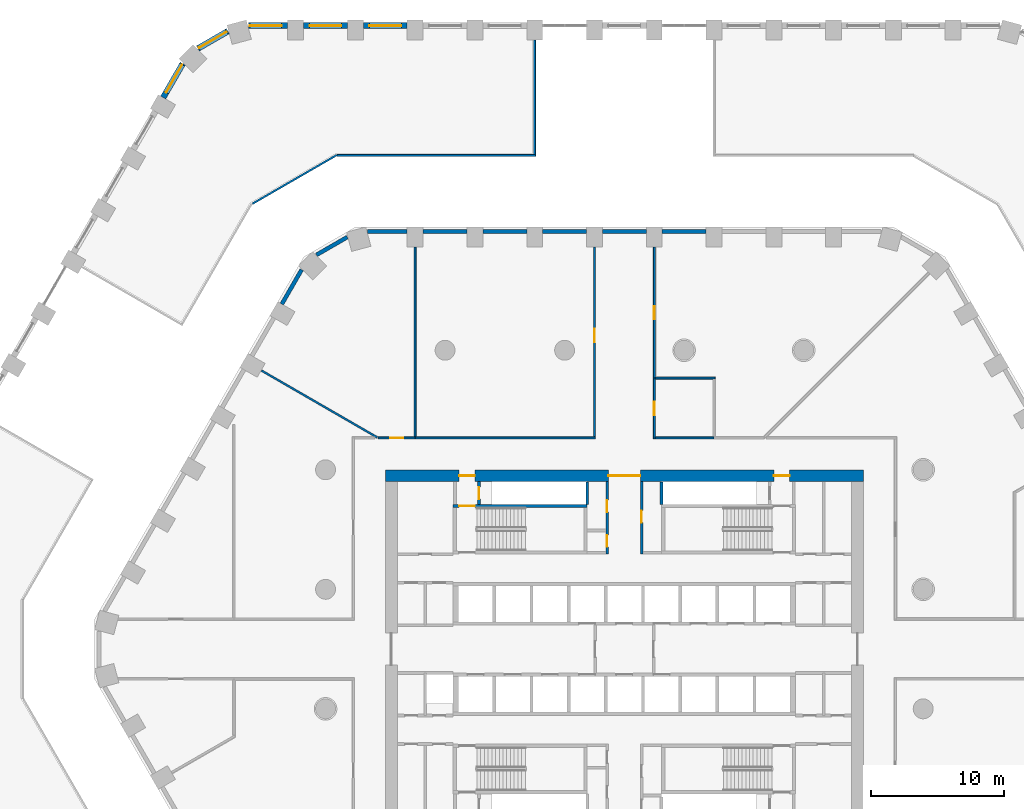
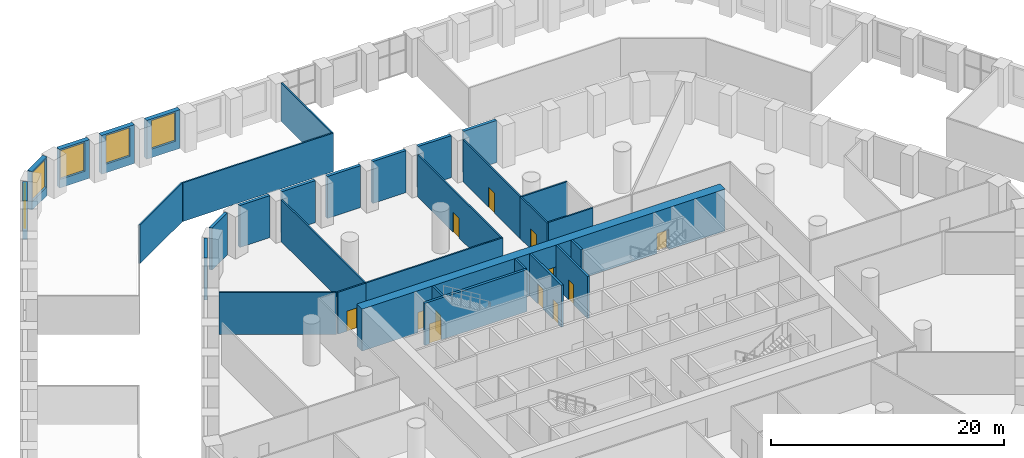
# One storey, part 24 of 42: 32 walls, 12 doors, 5 windows, 17 openings.
"""IFC4 building model written with IfcOpenShell, lengths in metres."""

from ifc_helpers import new_model, si_unit, direction, frame, frame_2d, origin, place, context, subcontext, project, spatial, rectangle, extrude, material, layer, layer_set, type_object, element, fill, save


model = new_model("IFC4")

# Units and contexts
model_context = context("Model", 3, precision=1e-05, world=origin(), true_north=direction((0.0, 1.0)))
body_context = subcontext(model_context, "Body", "Model", "MODEL_VIEW")
ifc_project = project(units=[si_unit("LENGTHUNIT", "METRE"), si_unit("AREAUNIT", "SQUARE_METRE"), si_unit("VOLUMEUNIT", "CUBIC_METRE"), si_unit("PLANEANGLEUNIT", "RADIAN"), si_unit("MASSUNIT", "GRAM", prefix="KILO")], contexts=[model_context])

# Site, building, storey
site_placement = place(None, origin())
site = spatial("IfcSite", under=ifc_project, at=site_placement, CompositionType="ELEMENT")
building_placement = place(site_placement, origin())
building = spatial("IfcBuilding", under=site, at=building_placement, Name="Dhurran Vertical Campus", CompositionType="ELEMENT")
storey_placement = place(building_placement, frame((0.0, 0.0, 6.0)))
storey = spatial("IfcBuildingStorey", under=building, at=storey_placement, Name="L01", CompositionType="ELEMENT", Elevation=6.0)

# Wall, opening, window
ifc_material_1 = material(Name="Precast concrete C50/60", Category="concrete")
ifc_layer_1 = layer(ifc_material_1, 0.449951171875)
ifc_layer_set_1 = layer_set([ifc_layer_1], Name="Precast concrete C50/60")
wall_type_1 = type_object("IfcWallType", Name="Precast base wall 450", PredefinedType="SOLIDWALL", material=ifc_layer_set_1)
wall_1_placement = place(storey_placement, frame((-16.3505859375, 46.943359375, 0.0), z_axis=(0.0, 0.0, 1.0), x_axis=(-1.0, 0.0, 0.0)))
wall_1 = element("IfcWall", 1, at=wall_1_placement, inside=storey, type_object=wall_type_1, Name="EW2 L01.48 ring", PredefinedType="SOLIDWALL", context=body_context, shape_type="SweptSolid", body=[
    extrude(rectangle(XDim=3.298828125, YDim=0.449951171875, at=frame_2d((1.6494140625, 0.0))), origin(), (0.0, 0.0, 1.0), 4.050048828125),
])
opening_1_placement = place(wall_1_placement, frame((0.449462890625, 0.0, 0.89990234375)))
opening_1 = element("IfcOpeningElement", 2, at=opening_1_placement, cuts=wall_1, Name="Opening WT2", PredefinedType="OPENING", context=body_context, shape_type="SweptSolid", body=[
    extrude(rectangle(XDim=2.39990234375, YDim=3.0, at=frame_2d((1.199951171875, 1.5))), frame((0.0, 0.23486328125, 0.0), z_axis=(0.0, -1.0, 0.0), x_axis=(1.0, 0.0, 0.0)), (0.0, 0.0, 1.0), 0.469970703125),
])
ifc_material_2 = material(Name="Aluminium frame with solar-control glass", Category="aluminium")
window_type = type_object("IfcWindowType", Name="Podium window 2400 x 3000", PartitioningType="SINGLE_PANEL", PredefinedType="WINDOW", material=ifc_material_2)
window_1_placement = place(opening_1_placement, origin())
window_1 = element("IfcWindow", 3, at=window_1_placement, inside=storey, type_object=window_type, Name="WT2 L01.48 ring", OverallHeight=3.0, OverallWidth=2.39990234375, PartitioningType="SINGLE_PANEL", PredefinedType="WINDOW", context=body_context, shape_type="SweptSolid", body=[
    extrude(rectangle(XDim=2.39990234375, YDim=3.0, at=frame_2d((1.199951171875, 1.5))), frame((0.0, 0.030029296875, 0.0), z_axis=(0.0, -1.0, 0.0), x_axis=(1.0, 0.0, 0.0)), (0.0, 0.0, 1.0), 0.06005859375),
])
fill(opening_1, window_1)

wall_2_placement = place(storey_placement, frame((-20.8505859375, 46.943359375, 0.0), z_axis=(0.0, 0.0, 1.0), x_axis=(-1.0, 0.0, 0.0)))
wall_2 = element("IfcWall", 4, at=wall_2_placement, inside=storey, type_object=wall_type_1, Name="EW2 L01.49 ring", PredefinedType="SOLIDWALL", context=body_context, shape_type="SweptSolid", body=[
    extrude(rectangle(XDim=3.298828125, YDim=0.449951171875, at=frame_2d((1.6494140625, 0.0))), origin(), (0.0, 0.0, 1.0), 4.050048828125),
])
opening_2_placement = place(wall_2_placement, frame((0.449462890625, 0.0, 0.89990234375)))
opening_2 = element("IfcOpeningElement", 5, at=opening_2_placement, cuts=wall_2, Name="Opening WT2", PredefinedType="OPENING", context=body_context, shape_type="SweptSolid", body=[
    extrude(rectangle(XDim=2.39990234375, YDim=3.0, at=frame_2d((1.199951171875, 1.5))), frame((0.0, 0.23486328125, 0.0), z_axis=(0.0, -1.0, 0.0), x_axis=(1.0, 0.0, 0.0)), (0.0, 0.0, 1.0), 0.469970703125),
])
window_2_placement = place(opening_2_placement, origin())
window_2 = element("IfcWindow", 6, at=window_2_placement, inside=storey, type_object=window_type, Name="WT2 L01.49 ring", OverallHeight=3.0, OverallWidth=2.39990234375, PartitioningType="SINGLE_PANEL", PredefinedType="WINDOW", context=body_context, shape_type="SweptSolid", body=[
    extrude(rectangle(XDim=2.39990234375, YDim=3.0, at=frame_2d((1.199951171875, 1.5))), frame((0.0, 0.030029296875, 0.0), z_axis=(0.0, -1.0, 0.0), x_axis=(1.0, 0.0, 0.0)), (0.0, 0.0, 1.0), 0.06005859375),
])
fill(opening_2, window_2)

wall_3_placement = place(storey_placement, frame((-25.3505859375, 46.943359375, 0.0), z_axis=(0.0, 0.0, 1.0), x_axis=(-1.0, 0.0, 0.0)))
wall_3 = element("IfcWall", 7, at=wall_3_placement, inside=storey, type_object=wall_type_1, Name="EW2 L01.50 ring", PredefinedType="SOLIDWALL", context=body_context, shape_type="SweptSolid", body=[
    extrude(rectangle(XDim=2.948486328125, YDim=0.449951171875, at=frame_2d((1.47412109375, 0.0))), origin(), (0.0, 0.0, 1.0), 4.050048828125),
])
opening_3_placement = place(wall_3_placement, frame((0.449462890625, 0.0, 0.89990234375)))
opening_3 = element("IfcOpeningElement", 8, at=opening_3_placement, cuts=wall_3, Name="Opening WT2", PredefinedType="OPENING", context=body_context, shape_type="SweptSolid", body=[
    extrude(rectangle(XDim=2.39990234375, YDim=3.0, at=frame_2d((1.199951171875, 1.5))), frame((0.0, 0.23486328125, 0.0), z_axis=(0.0, -1.0, 0.0), x_axis=(1.0, 0.0, 0.0)), (0.0, 0.0, 1.0), 0.469970703125),
])
window_3_placement = place(opening_3_placement, origin())
window_3 = element("IfcWindow", 9, at=window_3_placement, inside=storey, type_object=window_type, Name="WT2 L01.50 ring", OverallHeight=3.0, OverallWidth=2.39990234375, PartitioningType="SINGLE_PANEL", PredefinedType="WINDOW", context=body_context, shape_type="SweptSolid", body=[
    extrude(rectangle(XDim=2.39990234375, YDim=3.0, at=frame_2d((1.199951171875, 1.5))), frame((0.0, 0.030029296875, 0.0), z_axis=(0.0, -1.0, 0.0), x_axis=(1.0, 0.0, 0.0)), (0.0, 0.0, 1.0), 0.06005859375),
])
fill(opening_3, window_3)

wall_4_placement = place(storey_placement, frame((-29.861083984375, 46.524658203125, 0.0), z_axis=(0.0, 0.0, 1.0), x_axis=(-0.866019710441, -0.50000986103, 0.0)))
wall_4 = element("IfcWall", 10, at=wall_4_placement, inside=storey, type_object=wall_type_1, Name="EW2 L01.51 ring", PredefinedType="SOLIDWALL", context=body_context, shape_type="SweptSolid", body=[
    extrude(rectangle(XDim=2.59814453125, YDim=0.449951171875, at=frame_2d((1.299072265625, 0.0))), origin(), (0.0, 0.0, 1.0), 4.050048828125),
])
opening_4_placement = place(wall_4_placement, frame((0.09912109375, 0.0, 0.89990234375)))
opening_4 = element("IfcOpeningElement", 11, at=opening_4_placement, cuts=wall_4, Name="Opening WT2", PredefinedType="OPENING", context=body_context, shape_type="SweptSolid", body=[
    extrude(rectangle(XDim=2.39990234375, YDim=3.0, at=frame_2d((1.199951171875, 1.5))), frame((0.0, 0.23486328125, 0.0), z_axis=(0.0, -1.0, 0.0), x_axis=(1.0, 0.0, 0.0)), (0.0, 0.0, 1.0), 0.469970703125),
])
window_4_placement = place(opening_4_placement, origin())
window_4 = element("IfcWindow", 12, at=window_4_placement, inside=storey, type_object=window_type, Name="WT2 L01.51 ring", OverallHeight=3.0, OverallWidth=2.39990234375, PartitioningType="SINGLE_PANEL", PredefinedType="WINDOW", context=body_context, shape_type="SweptSolid", body=[
    extrude(rectangle(XDim=2.39990234375, YDim=3.0, at=frame_2d((1.199951171875, 1.5))), frame((0.0, 0.030029296875, 0.0), z_axis=(0.0, -1.0, 0.0), x_axis=(1.0, 0.0, 0.0)), (0.0, 0.0, 1.0), 0.06005859375),
])
fill(opening_4, window_4)

wall_5_placement = place(storey_placement, frame((-33.25439453125, 44.082275390625, 0.0), z_axis=(0.0, 0.0, 1.0), x_axis=(-0.500030648271, -0.866007708274, 0.0)))
wall_5 = element("IfcWall", 13, at=wall_5_placement, inside=storey, type_object=wall_type_1, Name="EW2 L01.52 ring", PredefinedType="SOLIDWALL", context=body_context, shape_type="SweptSolid", body=[
    extrude(rectangle(XDim=2.948486328125, YDim=0.449951171875, at=frame_2d((1.47412109375, 0.0))), origin(), (0.0, 0.0, 1.0), 4.050048828125),
])
opening_5_placement = place(wall_5_placement, frame((0.09912109375, 0.0, 0.89990234375)))
opening_5 = element("IfcOpeningElement", 14, at=opening_5_placement, cuts=wall_5, Name="Opening WT2", PredefinedType="OPENING", context=body_context, shape_type="SweptSolid", body=[
    extrude(rectangle(XDim=2.39990234375, YDim=3.0, at=frame_2d((1.199951171875, 1.5))), frame((0.0, 0.23486328125, 0.0), z_axis=(0.0, -1.0, 0.0), x_axis=(1.0, 0.0, 0.0)), (0.0, 0.0, 1.0), 0.469970703125),
])
window_5_placement = place(opening_5_placement, origin())
window_5 = element("IfcWindow", 15, at=window_5_placement, inside=storey, type_object=window_type, Name="WT2 L01.52 ring", OverallHeight=3.0, OverallWidth=2.39990234375, PartitioningType="SINGLE_PANEL", PredefinedType="WINDOW", context=body_context, shape_type="SweptSolid", body=[
    extrude(rectangle(XDim=2.39990234375, YDim=3.0, at=frame_2d((1.199951171875, 1.5))), frame((0.0, 0.030029296875, 0.0), z_axis=(0.0, -1.0, 0.0), x_axis=(1.0, 0.0, 0.0)), (0.0, 0.0, 1.0), 0.06005859375),
])
fill(opening_5, window_5)

# Walls
ifc_material_3 = material(Name="Precast concrete C50/60", Category="concrete")
ifc_layer_2 = layer(ifc_material_3, 0.300048828125)
ifc_layer_set_2 = layer_set([ifc_layer_2], Name="Precast concrete C50/60")
wall_type_2 = type_object("IfcWallType", Name="Precast interior wall 300", PredefinedType="SOLIDWALL", material=ifc_layer_set_2)
for number, where, z_axis, x_axis, name in (
    (16, (6.1494140625, 31.4296875, 0.0), (0.0, 0.0, 1.0), (-1.0, 0.0, 0.0), "EW5 L01.29"),
    (17, (1.6494140625, 31.4296875, 0.0), (0.0, 0.0, 1.0), (-1.0, 0.0, 0.0), "EW5 L01.30"),
    (18, (-2.8505859375, 31.4296875, 0.0), (0.0, 0.0, 1.0), (-1.0, 0.0, 0.0), "EW5 L01.31"),
    (19, (-7.3505859375, 31.4296875, 0.0), (0.0, 0.0, 1.0), (-1.0, 0.0, 0.0), "EW5 L01.32"),
    (20, (-11.8505859375, 31.4296875, 0.0), (0.0, 0.0, 1.0), (-1.0, 0.0, 0.0), "EW5 L01.33"),
):
    element("IfcWall", number, at=place(storey_placement, frame(where, z_axis=z_axis, x_axis=x_axis)), inside=storey, type_object=wall_type_2, Name=name, PredefinedType="SOLIDWALL", context=body_context, shape_type="SweptSolid", body=[
        extrude(rectangle(XDim=3.298828125, YDim=0.300048828125, at=frame_2d((1.6494140625, 0.0))), origin(), (0.0, 0.0, 1.0), 4.39990234375),
    ])
wall_6_placement = place(storey_placement, frame((-16.3505859375, 31.4296875, 0.0), z_axis=(0.0, 0.0, 1.0), x_axis=(-1.0, 0.0, 0.0)))
element("IfcWall", 21, at=wall_6_placement, inside=storey, type_object=wall_type_2, Name="EW5 L01.34", PredefinedType="SOLIDWALL", context=body_context, shape_type="SweptSolid", body=[
    extrude(rectangle(XDim=2.98876953125, YDim=0.300048828125, at=frame_2d((1.494384765625, 0.0))), origin(), (0.0, 0.0, 1.0), 4.39990234375),
])
wall_7_placement = place(storey_placement, frame((-20.86376953125, 31.021240234375, 0.0), z_axis=(0.0, 0.0, 1.0), x_axis=(-0.866001915448, -0.500040680786, 0.0)))
element("IfcWall", 22, at=wall_7_placement, inside=storey, type_object=wall_type_2, Name="EW5 L01.35", PredefinedType="SOLIDWALL", context=body_context, shape_type="SweptSolid", body=[
    extrude(rectangle(XDim=2.678466796875, YDim=0.300048828125, at=frame_2d((1.33935546875, 0.0))), origin(), (0.0, 0.0, 1.0), 4.39990234375),
])
wall_8_placement = place(storey_placement, frame((-24.29931640625, 28.566162109375, 0.0), z_axis=(0.0, 0.0, 1.0), x_axis=(-0.49999586137, -0.866027793211, 0.0)))
element("IfcWall", 23, at=wall_8_placement, inside=storey, type_object=wall_type_2, Name="EW5 L01.36", PredefinedType="SOLIDWALL", context=body_context, shape_type="SweptSolid", body=[
    extrude(rectangle(XDim=2.98876953125, YDim=0.300048828125, at=frame_2d((1.494384765625, 0.0))), origin(), (0.0, 0.0, 1.0), 4.39990234375),
])

# Wall, openings, doors
ifc_material_4 = material(Name="Concrete C60/75", Category="concrete")
ifc_layer_3 = layer(ifc_material_4, 0.89990234375)
ifc_layer_set_3 = layer_set([ifc_layer_3], Name="Concrete C60/75")
wall_type_3 = type_object("IfcWallType", Name="co-CORE-WALL-C0-900", PredefinedType="SHEAR", material=ifc_layer_set_3)
wall_9_placement = place(storey_placement, frame((-18.0, 13.050048828125, 0.0), z_axis=(0.0, 0.0, 1.0), x_axis=(1.0, 0.0, 0.0)))
wall_9 = element("IfcWall", 24, at=wall_9_placement, inside=storey, type_object=wall_type_3, Name="Core wall N L01", PredefinedType="SHEAR", context=body_context, shape_type="SweptSolid", body=[
    extrude(rectangle(XDim=36.0, YDim=0.89990234375, at=frame_2d((18.0, 0.0))), origin(), (0.0, 0.0, 1.0), 4.39990234375),
])
opening_6_placement = place(wall_9_placement, frame((16.800048828125, 0.0, 0.0)))
opening_6 = element("IfcOpeningElement", 25, at=opening_6_placement, cuts=wall_9, Name="Opening CV1", PredefinedType="OPENING", context=body_context, shape_type="SweptSolid", body=[
    extrude(rectangle(XDim=2.39990234375, YDim=2.10009765625, at=frame_2d((1.199951171875, 1.050048828125))), frame((0.0, 0.4599609375, 0.0), z_axis=(0.0, -1.0, 0.0), x_axis=(1.0, 0.0, 0.0)), (0.0, 0.0, 1.0), 0.919921875),
])
opening_7_placement = place(wall_9_placement, frame((5.550048828125, 0.0, 0.0)))
opening_7 = element("IfcOpeningElement", 26, at=opening_7_placement, cuts=wall_9, Name="Opening XD1", PredefinedType="OPENING", context=body_context, shape_type="SweptSolid", body=[
    extrude(rectangle(XDim=1.199951171875, YDim=2.10009765625, at=frame_2d((0.60009765625, 1.050048828125))), frame((0.0, 0.4599609375, 0.0), z_axis=(0.0, -1.0, 0.0), x_axis=(1.0, 0.0, 0.0)), (0.0, 0.0, 1.0), 0.919921875),
])
opening_8_placement = place(wall_9_placement, frame((29.25, 0.0, 0.0)))
opening_8 = element("IfcOpeningElement", 27, at=opening_8_placement, cuts=wall_9, Name="Opening XD2", PredefinedType="OPENING", context=body_context, shape_type="SweptSolid", body=[
    extrude(rectangle(XDim=1.199951171875, YDim=2.10009765625, at=frame_2d((0.60009765625, 1.050048828125))), frame((0.0, 0.4599609375, 0.0), z_axis=(0.0, -1.0, 0.0), x_axis=(1.0, 0.0, 0.0)), (0.0, 0.0, 1.0), 0.919921875),
])
ifc_material_5 = material(Name="Fire-rated glazed door set")
door_type_1 = type_object("IfcDoorType", Name="co-D-LOBBY 2400x2100", OperationType="DOUBLE_DOOR_DOUBLE_SWING", PredefinedType="DOOR", material=ifc_material_5)
door_1_placement = place(opening_6_placement, origin())
door_1 = element("IfcDoor", 28, at=door_1_placement, inside=storey, type_object=door_type_1, Name="Core vestibule door N L01", OperationType="DOUBLE_DOOR_DOUBLE_SWING", OverallHeight=2.10009765625, OverallWidth=2.39990234375, PredefinedType="DOOR", context=body_context, shape_type="SweptSolid", body=[
    extrude(rectangle(XDim=2.39990234375, YDim=2.10009765625, at=frame_2d((1.199951171875, 1.050048828125))), frame((0.0, 0.02490234375, 0.0), z_axis=(0.0, -1.0, 0.0), x_axis=(1.0, 0.0, 0.0)), (0.0, 0.0, 1.0), 0.050048828125),
])
fill(opening_6, door_1)
ifc_material_6 = material(Name="Fire-rated steel door set", Category="steel")
door_type_2 = type_object("IfcDoorType", Name="co-D-STAIR-EXIT 1200x2100", OperationType="SINGLE_SWING_RIGHT", PredefinedType="DOOR", material=ifc_material_6)
door_2_placement = place(opening_7_placement, origin())
door_2 = element("IfcDoor", 29, at=door_2_placement, inside=storey, type_object=door_type_2, Name="Stair ST1 exit door L01", OperationType="SINGLE_SWING_RIGHT", OverallHeight=2.10009765625, OverallWidth=1.199951171875, PredefinedType="DOOR", context=body_context, shape_type="SweptSolid", body=[
    extrude(rectangle(XDim=1.199951171875, YDim=2.10009765625, at=frame_2d((0.60009765625, 1.050048828125))), frame((0.0, 0.02490234375, 0.0), z_axis=(0.0, -1.0, 0.0), x_axis=(1.0, 0.0, 0.0)), (0.0, 0.0, 1.0), 0.050048828125),
])
fill(opening_7, door_2)
door_3_placement = place(opening_8_placement, origin())
door_3 = element("IfcDoor", 30, at=door_3_placement, inside=storey, type_object=door_type_2, Name="Stair ST2 exit door L01", OperationType="SINGLE_SWING_RIGHT", OverallHeight=2.10009765625, OverallWidth=1.199951171875, PredefinedType="DOOR", context=body_context, shape_type="SweptSolid", body=[
    extrude(rectangle(XDim=1.199951171875, YDim=2.10009765625, at=frame_2d((0.60009765625, 1.050048828125))), frame((0.0, 0.02490234375, 0.0), z_axis=(0.0, -1.0, 0.0), x_axis=(1.0, 0.0, 0.0)), (0.0, 0.0, 1.0), 0.050048828125),
])
fill(opening_8, door_3)

ifc_material_7 = material(Name="Fire-rated masonry blockwork", Category="masonry")
ifc_layer_4 = layer(ifc_material_7, 0.199951171875)
ifc_layer_set_4 = layer_set([ifc_layer_4], Name="Fire-rated masonry blockwork")
wall_type_4 = type_object("IfcWallType", Name="co-FIRE-PARTITION-200", PredefinedType="PARTITIONING", material=ifc_layer_set_4)
wall_10_placement = place(storey_placement, frame((-1.300048828125, 7.14990234375, 0.0), z_axis=(0.0, 0.0, 1.0), x_axis=(0.0, 1.0, 0.0)))
wall_10 = element("IfcWall", 31, at=wall_10_placement, inside=storey, type_object=wall_type_4, Name="Core partition vest-NW L01", PredefinedType="PARTITIONING", context=body_context, shape_type="SweptSolid", body=[
    extrude(rectangle(XDim=5.4501953125, YDim=0.199951171875, at=frame_2d((2.72509765625, 0.0))), origin(), (0.0, 0.0, 1.0), 4.39990234375),
])
opening_9_placement = place(wall_10_placement, frame((0.53759765625, 0.0, 0.0)))
opening_9 = element("IfcOpeningElement", 32, at=opening_9_placement, cuts=wall_10, Name="Opening PD01-C5", PredefinedType="OPENING", context=body_context, shape_type="SweptSolid", body=[
    extrude(rectangle(XDim=0.89990234375, YDim=2.10009765625, at=frame_2d((0.449951171875, 1.050048828125))), frame((0.0, 0.10986328125, 0.0), z_axis=(0.0, -1.0, 0.0), x_axis=(1.0, 0.0, 0.0)), (0.0, 0.0, 1.0), 0.219970703125),
])
opening_10_placement = place(wall_10_placement, frame((3.16259765625, 0.0, 0.0)))
opening_10 = element("IfcOpeningElement", 33, at=opening_10_placement, cuts=wall_10, Name="Opening PD01-C6", PredefinedType="OPENING", context=body_context, shape_type="SweptSolid", body=[
    extrude(rectangle(XDim=0.89990234375, YDim=2.10009765625, at=frame_2d((0.449951171875, 1.050048828125))), frame((0.0, 0.10986328125, 0.0), z_axis=(0.0, -1.0, 0.0), x_axis=(1.0, 0.0, 0.0)), (0.0, 0.0, 1.0), 0.219970703125),
])
ifc_material_8 = material(Name="Fire-rated timber door set", Category="wood")
door_type_3 = type_object("IfcDoorType", Name="co-D-ROOM 900x2100", OperationType="SINGLE_SWING_LEFT", PredefinedType="DOOR", material=ifc_material_8)
door_4_placement = place(opening_9_placement, origin())
door_4 = element("IfcDoor", 34, at=door_4_placement, inside=storey, type_object=door_type_3, Name="Server room door L01", OperationType="SINGLE_SWING_LEFT", OverallHeight=2.10009765625, OverallWidth=0.89990234375, PredefinedType="DOOR", context=body_context, shape_type="SweptSolid", body=[
    extrude(rectangle(XDim=0.89990234375, YDim=2.10009765625, at=frame_2d((0.449951171875, 1.050048828125))), frame((0.0, 0.02490234375, 0.0), z_axis=(0.0, -1.0, 0.0), x_axis=(1.0, 0.0, 0.0)), (0.0, 0.0, 1.0), 0.050048828125),
])
fill(opening_9, door_4)
door_5_placement = place(opening_10_placement, origin())
door_5 = element("IfcDoor", 35, at=door_5_placement, inside=storey, type_object=door_type_3, Name="Plant room door L01", OperationType="SINGLE_SWING_LEFT", OverallHeight=2.10009765625, OverallWidth=0.89990234375, PredefinedType="DOOR", context=body_context, shape_type="SweptSolid", body=[
    extrude(rectangle(XDim=0.89990234375, YDim=2.10009765625, at=frame_2d((0.449951171875, 1.050048828125))), frame((0.0, 0.02490234375, 0.0), z_axis=(0.0, -1.0, 0.0), x_axis=(1.0, 0.0, 0.0)), (0.0, 0.0, 1.0), 0.050048828125),
])
fill(opening_10, door_5)

# Wall, opening, door
wall_11_placement = place(storey_placement, frame((1.300048828125, 7.14990234375, 0.0), z_axis=(0.0, 0.0, 1.0), x_axis=(0.0, 1.0, 0.0)))
wall_11 = element("IfcWall", 36, at=wall_11_placement, inside=storey, type_object=wall_type_4, Name="Core partition vest-NE L01", PredefinedType="PARTITIONING", context=body_context, shape_type="SweptSolid", body=[
    extrude(rectangle(XDim=5.4501953125, YDim=0.199951171875, at=frame_2d((2.72509765625, 0.0))), origin(), (0.0, 0.0, 1.0), 4.39990234375),
])
opening_11_placement = place(wall_11_placement, frame((2.375, 0.0, 0.0)))
opening_11 = element("IfcOpeningElement", 37, at=opening_11_placement, cuts=wall_11, Name="Opening PD01-C7", PredefinedType="OPENING", context=body_context, shape_type="SweptSolid", body=[
    extrude(rectangle(XDim=0.89990234375, YDim=2.10009765625, at=frame_2d((0.449951171875, 1.050048828125))), frame((0.0, 0.10986328125, 0.0), z_axis=(0.0, -1.0, 0.0), x_axis=(1.0, 0.0, 0.0)), (0.0, 0.0, 1.0), 0.219970703125),
])
door_6_placement = place(opening_11_placement, origin())
door_6 = element("IfcDoor", 38, at=door_6_placement, inside=storey, type_object=door_type_3, Name="Cleaner's store door L01", OperationType="SINGLE_SWING_LEFT", OverallHeight=2.10009765625, OverallWidth=0.89990234375, PredefinedType="DOOR", context=body_context, shape_type="SweptSolid", body=[
    extrude(rectangle(XDim=0.89990234375, YDim=2.10009765625, at=frame_2d((0.449951171875, 1.050048828125))), frame((0.0, 0.02490234375, 0.0), z_axis=(0.0, -1.0, 0.0), x_axis=(1.0, 0.0, 0.0)), (0.0, 0.0, 1.0), 0.050048828125),
])
fill(opening_11, door_6)

wall_12_placement = place(storey_placement, frame((-10.949951171875, 10.89990234375, 0.0), z_axis=(0.0, 0.0, 1.0), x_axis=(0.0, 1.0, 0.0)))
wall_12 = element("IfcWall", 39, at=wall_12_placement, inside=storey, type_object=wall_type_4, Name="Core partition pass-ST1-i L01", PredefinedType="PARTITIONING", context=body_context, shape_type="SweptSolid", body=[
    extrude(rectangle(XDim=1.7001953125, YDim=0.199951171875, at=frame_2d((0.85009765625, 0.0))), origin(), (0.0, 0.0, 1.0), 4.39990234375),
])
opening_12_placement = place(wall_12_placement, frame((0.39990234375, 0.0, 0.0)))
opening_12 = element("IfcOpeningElement", 40, at=opening_12_placement, cuts=wall_12, Name="Opening PD01-C8", PredefinedType="OPENING", context=body_context, shape_type="SweptSolid", body=[
    extrude(rectangle(XDim=0.89990234375, YDim=2.10009765625, at=frame_2d((0.449951171875, 1.050048828125))), frame((0.0, 0.10986328125, 0.0), z_axis=(0.0, -1.0, 0.0), x_axis=(1.0, 0.0, 0.0)), (0.0, 0.0, 1.0), 0.219970703125),
])
door_7_placement = place(opening_12_placement, origin())
door_7 = element("IfcDoor", 41, at=door_7_placement, inside=storey, type_object=door_type_3, Name="Riser room door L01", OperationType="SINGLE_SWING_LEFT", OverallHeight=2.10009765625, OverallWidth=0.89990234375, PredefinedType="DOOR", context=body_context, shape_type="SweptSolid", body=[
    extrude(rectangle(XDim=0.89990234375, YDim=2.10009765625, at=frame_2d((0.449951171875, 1.050048828125))), frame((0.0, 0.02490234375, 0.0), z_axis=(0.0, -1.0, 0.0), x_axis=(1.0, 0.0, 0.0)), (0.0, 0.0, 1.0), 0.050048828125),
])
fill(opening_12, door_7)

# Walls
for number, where, z_axis, x_axis, name in (
    (42, (-2.800048828125, 10.90087890625, 0.0), (0.0, 0.0, 1.0), (0.0, 1.0, 0.0), "Riser enclosure wall L01"),
    (43, (2.800048828125, 12.59912109375, 0.0), (0.0, 0.0, 1.0), (0.0, -1.0, 0.0), "Riser enclosure wall L01"),
):
    element("IfcWall", number, at=place(storey_placement, frame(where, z_axis=z_axis, x_axis=x_axis)), inside=storey, type_object=wall_type_4, Name=name, PredefinedType="PARTITIONING", context=body_context, shape_type="SweptSolid", body=[
        extrude(rectangle(XDim=1.6982421875, YDim=0.199951171875, at=frame_2d((0.84912109375, 0.0))), origin(), (0.0, 0.0, 1.0), 4.39990234375),
    ])

# Wall, opening, door
ifc_material_9 = material(Name="Concrete C40/50", Category="concrete")
ifc_layer_5 = layer(ifc_material_9, 0.25)
ifc_layer_set_5 = layer_set([ifc_layer_5], Name="Concrete C40/50")
wall_type_5 = type_object("IfcWallType", Name="co-STAIR-WALL-250", PredefinedType="SHEAR", material=ifc_layer_set_5)
wall_13_placement = place(storey_placement, frame((-12.89990234375, 10.77490234375, 0.0), z_axis=(0.0, 0.0, 1.0), x_axis=(1.0, 0.0, 0.0)))
wall_13 = element("IfcWall", 44, at=wall_13_placement, inside=storey, type_object=wall_type_5, Name="Stair ST1 enclosure wall L01", PredefinedType="SHEAR", context=body_context, shape_type="SweptSolid", body=[
    extrude(rectangle(XDim=10.099853515625, YDim=0.25, at=frame_2d((5.0498046875, 0.0))), origin(), (0.0, 0.0, 1.0), 4.39990234375),
])
opening_13_placement = place(wall_13_placement, frame((0.449951171875, 0.0, 0.0)))
opening_13 = element("IfcOpeningElement", 45, at=opening_13_placement, cuts=wall_13, Name="Opening XS1", PredefinedType="OPENING", context=body_context, shape_type="SweptSolid", body=[
    extrude(rectangle(XDim=1.199951171875, YDim=2.10009765625, at=frame_2d((0.60009765625, 1.050048828125))), frame((0.0, 0.135009765625, 0.0), z_axis=(0.0, -1.0, 0.0), x_axis=(1.0, 0.0, 0.0)), (0.0, 0.0, 1.0), 0.27001953125),
])
door_8_placement = place(opening_13_placement, origin())
door_8 = element("IfcDoor", 46, at=door_8_placement, inside=storey, type_object=door_type_2, Name="Stair ST1 discharge door L01", OperationType="SINGLE_SWING_RIGHT", OverallHeight=2.10009765625, OverallWidth=1.199951171875, PredefinedType="DOOR", context=body_context, shape_type="SweptSolid", body=[
    extrude(rectangle(XDim=1.199951171875, YDim=2.10009765625, at=frame_2d((0.60009765625, 1.050048828125))), frame((0.0, 0.02490234375, 0.0), z_axis=(0.0, -1.0, 0.0), x_axis=(1.0, 0.0, 0.0)), (0.0, 0.0, 1.0), 0.050048828125),
])
fill(opening_13, door_8)

# Walls
ifc_material_10 = material(Name="Gypsum board corridor wall on steel studs", Category="steel")
ifc_layer_6 = layer(ifc_material_10, 0.14990234375)
ifc_layer_set_6 = layer_set([ifc_layer_6], Name="Gypsum board corridor wall on steel studs")
wall_type_6 = type_object("IfcWallType", Name="fl-CW-150 corridor wall", PredefinedType="PARTITIONING", material=ifc_layer_set_6)
wall_14_placement = place(storey_placement, frame((-28.01318359375, 33.532958984375, 0.0), z_axis=(0.0, 0.0, 1.0), x_axis=(0.866011067739, 0.500024829938, 0.0)))
element("IfcWall", 47, at=wall_14_placement, inside=storey, type_object=wall_type_6, Name="Partition 01-R19", PredefinedType="PARTITIONING", context=body_context, shape_type="SweptSolid", body=[
    extrude(rectangle(XDim=7.338623046875, YDim=0.14990234375, at=frame_2d((3.66943359375, 0.0))), origin(), (0.0, 0.0, 1.0), 4.050048828125),
])
wall_15_placement = place(storey_placement, frame((-21.6220703125, 37.179931640625, 0.0), z_axis=(0.0, 0.0, 1.0), x_axis=(1.0, 0.0, 0.0)))
element("IfcWall", 48, at=wall_15_placement, inside=storey, type_object=wall_type_6, Name="Partition 01-R22", PredefinedType="PARTITIONING", context=body_context, shape_type="SweptSolid", body=[
    extrude(rectangle(XDim=14.947021484375, YDim=0.14990234375, at=frame_2d((7.4736328125, 0.0))), origin(), (0.0, 0.0, 1.0), 4.050048828125),
])
wall_16_placement = place(storey_placement, frame((-6.75, 37.2548828125, 0.0), z_axis=(0.0, 0.0, 1.0), x_axis=(0.0, 1.0, 0.0)))
element("IfcWall", 49, at=wall_16_placement, inside=storey, type_object=wall_type_6, Name="Partition 01-R38", PredefinedType="PARTITIONING", context=body_context, shape_type="SweptSolid", body=[
    extrude(rectangle(XDim=8.593505859375, YDim=0.14990234375, at=frame_2d((4.296875, 0.0))), origin(), (0.0, 0.0, 1.0), 4.050048828125),
])

# Wall, opening, door
wall_17_placement = place(storey_placement, frame((-15.75, 15.89990234375, 0.0), z_axis=(0.0, 0.0, 1.0), x_axis=(-1.0, 0.0, 0.0)))
wall_17 = element("IfcWall", 50, at=wall_17_placement, inside=storey, type_object=wall_type_6, Name="Partition 01-15", PredefinedType="PARTITIONING", context=body_context, shape_type="SweptSolid", body=[
    extrude(rectangle(XDim=2.7900390625, YDim=0.14990234375, at=frame_2d((1.39501953125, 0.0))), origin(), (0.0, 0.0, 1.0), 4.39990234375),
])
opening_14_placement = place(wall_17_placement, frame((0.89501953125, 0.0, 0.0)))
opening_14 = element("IfcOpeningElement", 51, at=opening_14_placement, cuts=wall_17, Name="Opening PD01.06", PredefinedType="OPENING", context=body_context, shape_type="SweptSolid", body=[
    extrude(rectangle(XDim=1.0, YDim=2.10009765625, at=frame_2d((0.5, 1.050048828125))), frame((0.0, 0.0849609375, 0.0), z_axis=(0.0, -1.0, 0.0), x_axis=(1.0, 0.0, 0.0)), (0.0, 0.0, 1.0), 0.169921875),
])
ifc_material_11 = material(Name="Solid-core timber door set, fire-rated", Category="wood")
door_type_4 = type_object("IfcDoorType", Name="fl-D-1000x2100", OperationType="SINGLE_SWING_LEFT", PredefinedType="DOOR", material=ifc_material_11)
door_9_placement = place(opening_14_placement, origin())
door_9 = element("IfcDoor", 52, at=door_9_placement, inside=storey, type_object=door_type_4, Name="Door 01.06", OperationType="SINGLE_SWING_RIGHT", OverallHeight=2.10009765625, OverallWidth=1.0, PredefinedType="DOOR", context=body_context, shape_type="SweptSolid", body=[
    extrude(rectangle(XDim=1.0, YDim=2.10009765625, at=frame_2d((0.5, 1.050048828125))), frame((0.0, 0.02490234375, 0.0), z_axis=(0.0, -1.0, 0.0), x_axis=(1.0, 0.0, 0.0)), (0.0, 0.0, 1.0), 0.050048828125),
])
fill(opening_14, door_9)

# Wall
wall_18_placement = place(storey_placement, frame((-2.175048828125, 15.89990234375, 0.0), z_axis=(0.0, 0.0, 1.0), x_axis=(-1.0, 0.0, 0.0)))
element("IfcWall", 53, at=wall_18_placement, inside=storey, type_object=wall_type_6, Name="Partition 01-19", PredefinedType="PARTITIONING", context=body_context, shape_type="SweptSolid", body=[
    extrude(rectangle(XDim=13.574951171875, YDim=0.14990234375, at=frame_2d((6.78759765625, 0.0))), origin(), (0.0, 0.0, 1.0), 4.39990234375),
])

# Wall, opening, door
wall_19_placement = place(storey_placement, frame((-2.25, 15.97509765625, 0.0), z_axis=(0.0, 0.0, 1.0), x_axis=(0.0, 1.0, 0.0)))
wall_19 = element("IfcWall", 54, at=wall_19_placement, inside=storey, type_object=wall_type_6, Name="Partition 01-21", PredefinedType="PARTITIONING", context=body_context, shape_type="SweptSolid", body=[
    extrude(rectangle(XDim=14.28466796875, YDim=0.14990234375, at=frame_2d((7.142333984375, 0.0))), origin(), (0.0, 0.0, 1.0), 4.39990234375),
])
opening_15_placement = place(wall_19_placement, frame((7.142333984375, 0.0, 0.0)))
opening_15 = element("IfcOpeningElement", 55, at=opening_15_placement, cuts=wall_19, Name="Opening PD01.08", PredefinedType="OPENING", context=body_context, shape_type="SweptSolid", body=[
    extrude(rectangle(XDim=1.0, YDim=2.10009765625, at=frame_2d((0.5, 1.050048828125))), frame((0.0, 0.0849609375, 0.0), z_axis=(0.0, -1.0, 0.0), x_axis=(1.0, 0.0, 0.0)), (0.0, 0.0, 1.0), 0.169921875),
])
door_10_placement = place(opening_15_placement, origin())
door_10 = element("IfcDoor", 56, at=door_10_placement, inside=storey, type_object=door_type_4, Name="Door 01.08", OperationType="SINGLE_SWING_LEFT", OverallHeight=2.10009765625, OverallWidth=1.0, PredefinedType="DOOR", context=body_context, shape_type="SweptSolid", body=[
    extrude(rectangle(XDim=1.0, YDim=2.10009765625, at=frame_2d((0.5, 1.050048828125))), frame((0.0, 0.02490234375, 0.0), z_axis=(0.0, -1.0, 0.0), x_axis=(1.0, 0.0, 0.0)), (0.0, 0.0, 1.0), 0.050048828125),
])
fill(opening_15, door_10)

wall_20_placement = place(storey_placement, frame((2.25, 20.39990234375, 0.0), z_axis=(0.0, 0.0, 1.0), x_axis=(0.0, -1.0, 0.0)))
wall_20 = element("IfcWall", 57, at=wall_20_placement, inside=storey, type_object=wall_type_6, Name="Partition 01-26", PredefinedType="PARTITIONING", context=body_context, shape_type="SweptSolid", body=[
    extrude(rectangle(XDim=4.574951171875, YDim=0.14990234375, at=frame_2d((2.28759765625, 0.0))), origin(), (0.0, 0.0, 1.0), 4.39990234375),
])
opening_16_placement = place(wall_20_placement, frame((1.78759765625, 0.0, 0.0)))
opening_16 = element("IfcOpeningElement", 58, at=opening_16_placement, cuts=wall_20, Name="Opening PD01.10", PredefinedType="OPENING", context=body_context, shape_type="SweptSolid", body=[
    extrude(rectangle(XDim=1.0, YDim=2.10009765625, at=frame_2d((0.5, 1.050048828125))), frame((0.0, 0.0849609375, 0.0), z_axis=(0.0, -1.0, 0.0), x_axis=(1.0, 0.0, 0.0)), (0.0, 0.0, 1.0), 0.169921875),
])
door_11_placement = place(opening_16_placement, origin())
door_11 = element("IfcDoor", 59, at=door_11_placement, inside=storey, type_object=door_type_4, Name="Door 01.10", OperationType="SINGLE_SWING_LEFT", OverallHeight=2.10009765625, OverallWidth=1.0, PredefinedType="DOOR", context=body_context, shape_type="SweptSolid", body=[
    extrude(rectangle(XDim=1.0, YDim=2.10009765625, at=frame_2d((0.5, 1.050048828125))), frame((0.0, 0.02490234375, 0.0), z_axis=(0.0, -1.0, 0.0), x_axis=(1.0, 0.0, 0.0)), (0.0, 0.0, 1.0), 0.050048828125),
])
fill(opening_16, door_11)

# Wall
wall_21_placement = place(storey_placement, frame((6.75, 15.89990234375, 0.0), z_axis=(0.0, 0.0, 1.0), x_axis=(-1.0, 0.0, 0.0)))
element("IfcWall", 60, at=wall_21_placement, inside=storey, type_object=wall_type_6, Name="Partition 01-27", PredefinedType="PARTITIONING", context=body_context, shape_type="SweptSolid", body=[
    extrude(rectangle(XDim=4.425048828125, YDim=0.14990234375, at=frame_2d((2.21240234375, 0.0))), origin(), (0.0, 0.0, 1.0), 4.39990234375),
])

# Wall, opening, door
wall_22_placement = place(storey_placement, frame((2.25, 30.259765625, 0.0), z_axis=(0.0, 0.0, 1.0), x_axis=(0.0, -1.0, 0.0)))
wall_22 = element("IfcWall", 61, at=wall_22_placement, inside=storey, type_object=wall_type_6, Name="Partition 01-28", PredefinedType="PARTITIONING", context=body_context, shape_type="SweptSolid", body=[
    extrude(rectangle(XDim=9.85986328125, YDim=0.14990234375, at=frame_2d((4.929931640625, 0.0))), origin(), (0.0, 0.0, 1.0), 4.39990234375),
])
opening_17_placement = place(wall_22_placement, frame((4.429931640625, 0.0, 0.0)))
opening_17 = element("IfcOpeningElement", 62, at=opening_17_placement, cuts=wall_22, Name="Opening PD01.12", PredefinedType="OPENING", context=body_context, shape_type="SweptSolid", body=[
    extrude(rectangle(XDim=1.0, YDim=2.10009765625, at=frame_2d((0.5, 1.050048828125))), frame((0.0, 0.0849609375, 0.0), z_axis=(0.0, -1.0, 0.0), x_axis=(1.0, 0.0, 0.0)), (0.0, 0.0, 1.0), 0.169921875),
])
door_12_placement = place(opening_17_placement, origin())
door_12 = element("IfcDoor", 63, at=door_12_placement, inside=storey, type_object=door_type_4, Name="Door 01.12", OperationType="SINGLE_SWING_RIGHT", OverallHeight=2.10009765625, OverallWidth=1.0, PredefinedType="DOOR", context=body_context, shape_type="SweptSolid", body=[
    extrude(rectangle(XDim=1.0, YDim=2.10009765625, at=frame_2d((0.5, 1.050048828125))), frame((0.0, 0.02490234375, 0.0), z_axis=(0.0, -1.0, 0.0), x_axis=(1.0, 0.0, 0.0)), (0.0, 0.0, 1.0), 0.050048828125),
])
fill(opening_17, door_12)

# Walls
ifc_material_12 = material(Name="Gypsum board partition on steel studs", Category="steel")
ifc_layer_7 = layer(ifc_material_12, 0.14990234375)
ifc_layer_set_7 = layer_set([ifc_layer_7], Name="Gypsum board partition on steel studs")
wall_type_7 = type_object("IfcWallType", Name="fl-PW-150 fixed partition", PredefinedType="PARTITIONING", material=ifc_layer_set_7)
wall_23_placement = place(storey_placement, frame((-27.33056640625, 20.97607421875, 0.0), z_axis=(0.0, 0.0, 1.0), x_axis=(0.865988664976, -0.500063628085, 0.0)))
element("IfcWall", 64, at=wall_23_placement, inside=storey, type_object=wall_type_7, Name="Partition 01-09", PredefinedType="PARTITIONING", context=body_context, shape_type="SweptSolid", body=[
    extrude(rectangle(XDim=10.075927734375, YDim=0.14990234375, at=frame_2d((5.0380859375, 0.0))), origin(), (0.0, 0.0, 1.0), 4.39990234375),
])
wall_24_placement = place(storey_placement, frame((-15.75, 30.259765625, 0.0), z_axis=(0.0, 0.0, 1.0), x_axis=(0.0, -1.0, 0.0)))
element("IfcWall", 65, at=wall_24_placement, inside=storey, type_object=wall_type_7, Name="Partition 01-18", PredefinedType="PARTITIONING", context=body_context, shape_type="SweptSolid", body=[
    extrude(rectangle(XDim=14.28466796875, YDim=0.14990234375, at=frame_2d((7.142333984375, 0.0))), origin(), (0.0, 0.0, 1.0), 4.39990234375),
])
wall_25_placement = place(storey_placement, frame((2.324951171875, 20.39990234375, 0.0), z_axis=(0.0, 0.0, 1.0), x_axis=(1.0, 0.0, 0.0)))
element("IfcWall", 66, at=wall_25_placement, inside=storey, type_object=wall_type_7, Name="Partition 01-29", PredefinedType="PARTITIONING", context=body_context, shape_type="SweptSolid", body=[
    extrude(rectangle(XDim=4.5, YDim=0.14990234375, at=frame_2d((2.25, 0.0))), origin(), (0.0, 0.0, 1.0), 4.39990234375),
])

save(model, "model.ifc")
